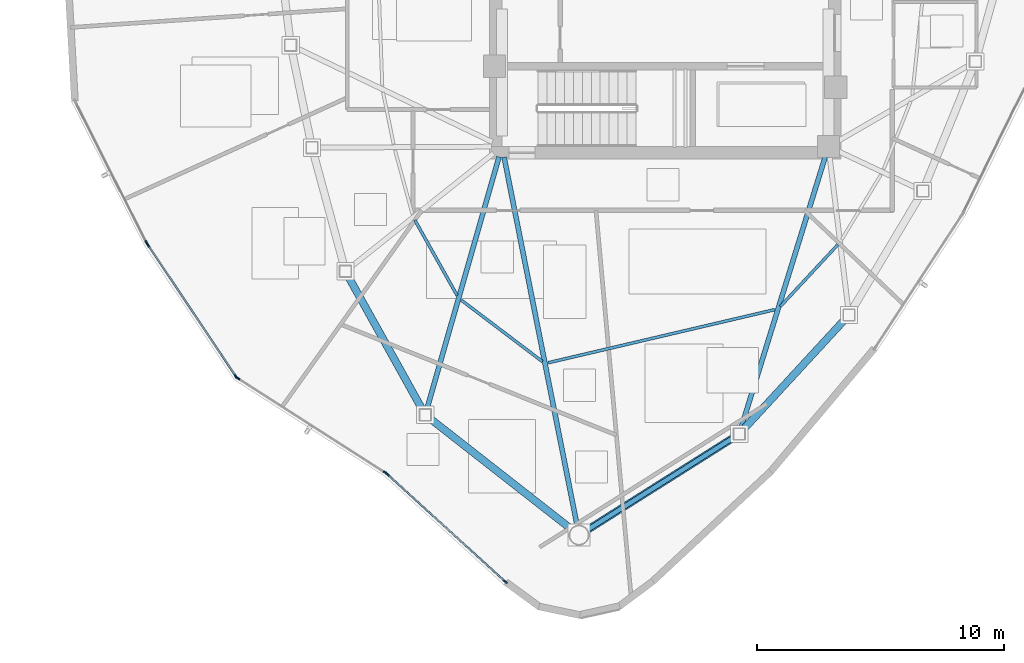
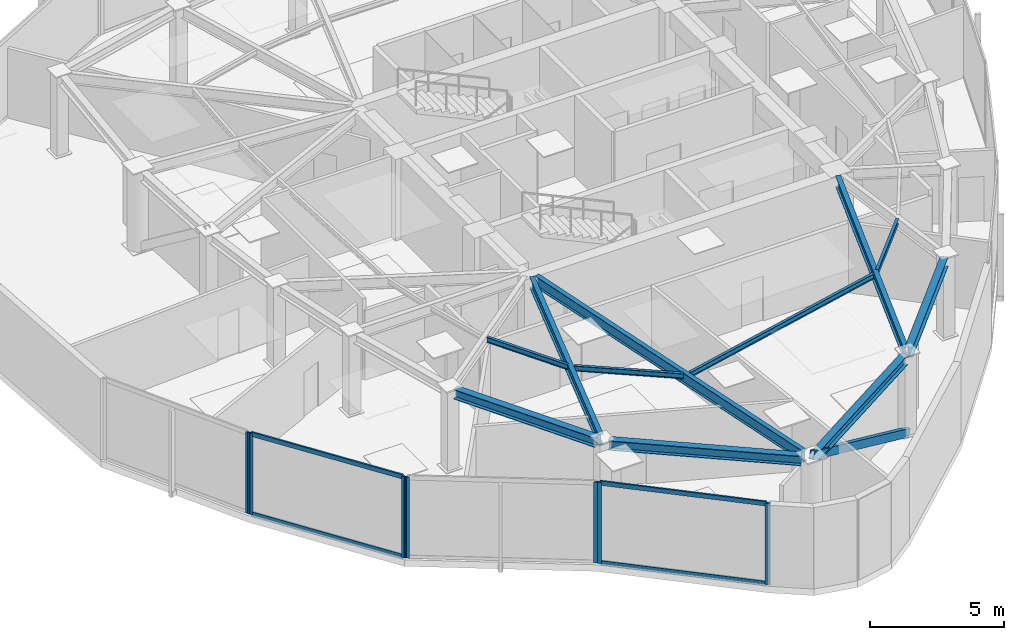
# One storey, part 2 of 13: 12 members, 11 beams, 4 elements without a shape of their own.
"""IFC4 building model written with IfcOpenShell, lengths in metres."""

import ifcopenshell
import ifcopenshell.guid

model = None  # the IFC model being written
_history = None  # IfcOwnerHistory: only IFC2X3 demands one
_inside = {}  # id of a spatial element -> (the spatial element, [elements in it])
_under = {}  # id of a project, library or spatial element -> (it, [spatial elements below it])
_declared = {}  # id of a project -> (the project, [libraries it declares])
_typed = {}  # id of a type object -> (the type object, [elements of that type])
_made_of = {}  # id of a material, layer set ... -> (it, [elements and type objects made of it])


def new_model(schema):
    """Start an empty IFC model of exactly this schema.

    Asked for "IFC4X3", IfcOpenShell would pick the latest addendum, in which some entities
    have other attributes; the version numbers below select the first issue.
    IFC2X3 requires an IfcOwnerHistory on every rooted entity: one is made here for all.
    """
    global model, _history
    if schema == "IFC4X3":
        model = ifcopenshell.file(schema_version=(4, 3, 0, 0))
    else:
        model = ifcopenshell.file(schema=schema)
    _inside.clear()
    _under.clear()
    _declared.clear()
    _typed.clear()
    _made_of.clear()
    _history = None
    if model.schema == "IFC2X3":
        org = make("IfcOrganization", Name="unknown")
        user = make(
            "IfcPersonAndOrganization",
            ThePerson=make("IfcPerson", FamilyName="unknown"),
            TheOrganization=org,
        )
        app = make(
            "IfcApplication",
            ApplicationDeveloper=org,
            Version="unknown",
            ApplicationFullName="unknown",
            ApplicationIdentifier="unknown",
        )
        _history = make(
            "IfcOwnerHistory",
            OwningUser=user,
            OwningApplication=app,
            ChangeAction="ADDED",
            CreationDate=0,
        )
    return model


def make(cls, **values):
    """One entity of the class cls with the attributes given. An attribute that is None is left unset."""
    return model.create_entity(
        cls, **{name: value for name, value in values.items() if value is not None}
    )


def rooted(cls, **values):
    """An entity with a GlobalId (a new one), such as an element, a storey or a relation."""
    return make(cls, GlobalId=ifcopenshell.guid.new(), OwnerHistory=_history, **values)


def si_unit(unit_type, name, prefix=None):
    """IfcSIUnit, for example si_unit("LENGTHUNIT", "METRE", prefix="MILLI")."""
    return make("IfcSIUnit", UnitType=unit_type, Prefix=prefix, Name=name)


def assignment(units):
    """IfcUnitAssignment: the units of a project."""
    return None if units is None else make("IfcUnitAssignment", Units=units)


def point(xyz):
    """IfcCartesianPoint."""
    return None if xyz is None else make("IfcCartesianPoint", Coordinates=xyz)


def direction(xyz):
    """IfcDirection."""
    return None if xyz is None else make("IfcDirection", DirectionRatios=xyz)


def frame(location, z_axis=None, x_axis=None):
    """IfcAxis2Placement3D, a coordinate frame: its origin and axes. An axis left out is left unset."""
    return make(
        "IfcAxis2Placement3D",
        Location=point(location),
        Axis=direction(z_axis),
        RefDirection=direction(x_axis),
    )


def frame_2d(location, x_axis=None):
    """IfcAxis2Placement2D, a coordinate frame in the plane: its origin and x axis."""
    return make(
        "IfcAxis2Placement2D", Location=point(location), RefDirection=direction(x_axis)
    )


def origin():
    """The frame at (0, 0, 0) with its axes left unset."""
    return frame((0.0, 0.0, 0.0))


def origin_2d():
    """The frame at (0, 0) in the plane with its x axis left unset."""
    return frame_2d((0.0, 0.0))


def place(relative_to, where):
    """IfcLocalPlacement: puts the frame where relative to a parent placement (None: the world)."""
    return make(
        "IfcLocalPlacement", PlacementRelTo=relative_to, RelativePlacement=where
    )


def context(
    kind, dimensions, precision=None, world=None, true_north=None, identifier=None
):
    """IfcGeometricRepresentationContext, for example the 3D "Model" context."""
    return make(
        "IfcGeometricRepresentationContext",
        ContextIdentifier=identifier,
        ContextType=kind,
        CoordinateSpaceDimension=dimensions,
        Precision=precision,
        WorldCoordinateSystem=world,
        TrueNorth=true_north,
    )


def subcontext(parent, identifier, kind, view, scale=None):
    """IfcGeometricRepresentationSubContext, for example "Body" below "Model"."""
    return make(
        "IfcGeometricRepresentationSubContext",
        ContextIdentifier=identifier,
        ContextType=kind,
        ParentContext=parent,
        TargetScale=scale,
        TargetView=view,
    )


def project(units=None, contexts=None):
    """IfcProject with its units and contexts."""
    return rooted(
        "IfcProject",
        Name="project",
        RepresentationContexts=contexts,
        UnitsInContext=assignment(units),
    )


def spatial(cls, under=None, at=None, **own):
    """A site, building, storey or space (cls), placed at a placement, below another one or the project."""
    s = rooted(cls, ObjectPlacement=at, **own)
    if under is not None:
        _under.setdefault(under.id(), (under, []))[1].append(s)
    return s


def profile(cls, at=None, kind="AREA", **sizes):
    """A parametric profile (cls). Its sizes go by their IFC names, for example OverallWidth=200.0."""
    return make(cls, ProfileType=kind, Position=at, **sizes)


def hollow_rectangle(**sizes):
    """IfcRectangleHollowProfileDef."""
    return profile("IfcRectangleHollowProfileDef", **sizes)


def i_section(**sizes):
    """IfcIShapeProfileDef."""
    return profile("IfcIShapeProfileDef", **sizes)


def extrude(swept, where, along, depth):
    """IfcExtrudedAreaSolid: the profile swept, set in the frame where, extruded along a direction by depth."""
    return make(
        "IfcExtrudedAreaSolid",
        SweptArea=swept,
        Position=where,
        ExtrudedDirection=direction(along),
        Depth=depth,
    )


def shape(context_of_items, identifier, shape_type, items):
    """IfcShapeRepresentation: the items that make up one representation, for example the "Body"."""
    return make(
        "IfcShapeRepresentation",
        ContextOfItems=context_of_items,
        RepresentationIdentifier=identifier,
        RepresentationType=shape_type,
        Items=items,
    )


def source(mapping_origin, context_of_items, identifier, shape_type, items):
    """IfcRepresentationMap: a shape defined once, which mapped items show again and again."""
    return make(
        "IfcRepresentationMap",
        MappingOrigin=mapping_origin,
        MappedRepresentation=shape(context_of_items, identifier, shape_type, items),
    )


def transform(
    local_origin,
    x_axis=None,
    y_axis=None,
    z_axis=None,
    scale=None,
    scale2=None,
    scale3=None,
    uniform=True,
):
    """IfcCartesianTransformationOperator3D, or its non-uniform kind. x_axis, y_axis, z_axis: its Axis1, 2, 3."""
    if uniform:
        return make(
            "IfcCartesianTransformationOperator3D",
            Axis1=direction(x_axis),
            Axis2=direction(y_axis),
            LocalOrigin=point(local_origin),
            Scale=scale,
            Axis3=direction(z_axis),
        )
    return make(
        "IfcCartesianTransformationOperator3DnonUniform",
        Axis1=direction(x_axis),
        Axis2=direction(y_axis),
        LocalOrigin=point(local_origin),
        Scale=scale,
        Axis3=direction(z_axis),
        Scale2=scale2,
        Scale3=scale3,
    )


def mapped(mapping_source, mapping_target):
    """IfcMappedItem: shows the shape of a source again, moved by a transform."""
    return make(
        "IfcMappedItem", MappingSource=mapping_source, MappingTarget=mapping_target
    )


def material(Name=None, Category=None):
    """IfcMaterial."""
    return make("IfcMaterial", Name=Name, Category=Category)


def layer(
    of_material, thickness, ventilated=None, Name=None, Category=None, Priority=None
):
    """IfcMaterialLayer: one layer of a wall or slab, of a material (None: an air gap)."""
    return make(
        "IfcMaterialLayer",
        Material=of_material,
        LayerThickness=thickness,
        IsVentilated=ventilated,
        Name=Name,
        Category=Category,
        Priority=Priority,
    )


def layer_set(layers, Name=None):
    """IfcMaterialLayerSet."""
    return make("IfcMaterialLayerSet", MaterialLayers=layers, LayerSetName=Name)


def material_profile(
    of_material, cross_section, Name=None, Category=None, Priority=None
):
    """IfcMaterialProfile: a cross section and its material."""
    return make(
        "IfcMaterialProfile",
        Name=Name,
        Material=of_material,
        Profile=cross_section,
        Priority=Priority,
        Category=Category,
    )


def profile_set(profiles, Name=None, composite=None):
    """IfcMaterialProfileSet."""
    return make(
        "IfcMaterialProfileSet",
        Name=Name,
        MaterialProfiles=profiles,
        CompositeProfile=composite,
    )


def made_of(thing, what):
    """Note that an element or type object is made of a material, layer set ...; save() writes the relation."""
    if what is not None:
        _made_of.setdefault(what.id(), (what, []))[1].append(thing)
    return thing


def type_object(cls, material=None, **own):
    """A type object (cls), such as IfcWallType, which elements share."""
    return made_of(rooted(cls, **own), material)


def type_shapes(of_type, sources):
    """Give a type object the sources (RepresentationMaps) that its elements show as mapped items."""
    of_type.RepresentationMaps = sources


def element(
    cls,
    number,
    at=None,
    inside=None,
    cuts=None,
    type_object=None,
    material=None,
    context=None,
    identifier="Body",
    shape_type=None,
    held_by="IfcProductDefinitionShape",
    body=None,
    shapes=None,
    **own,
):
    """One element of the class cls, such as IfcWall. Its Tag is "e" and its number.

    at: its placement. inside: the storey or other place that contains it. cuts: it is an
    opening in that element (IfcRelVoidsElement). A single representation is given by context,
    identifier, shape_type and body (its items); several are given by shapes. held_by: the class
    of the entity that holds the representations. save() writes the other relations.
    """
    e = rooted(cls, Tag="e%d" % number, ObjectPlacement=at, **own)
    if body is not None:
        shapes = [shape(context, identifier, shape_type, body)]
    if shapes is not None:
        e.Representation = make(held_by, Representations=shapes)
    if inside is not None:
        _inside.setdefault(inside.id(), (inside, []))[1].append(e)
    if cuts is not None:
        rooted(
            "IfcRelVoidsElement", RelatingBuildingElement=cuts, RelatedOpeningElement=e
        )
    if type_object is not None:
        _typed.setdefault(type_object.id(), (type_object, []))[1].append(e)
    return made_of(e, material)


def aggregate(whole, parts):
    """IfcRelAggregates: a whole, such as a stair, and the parts it consists of."""
    return rooted("IfcRelAggregates", RelatingObject=whole, RelatedObjects=parts)


def save(model, path):
    """Write the relations noted so far, then the file.

    IfcRelAggregates (storeys below a building ...), IfcRelContainedInSpatialStructure (elements
    in a storey), IfcRelDefinesByType, IfcRelAssociatesMaterial and IfcRelDeclares: one each for
    every whole, place, type object, material and project.
    """
    for whole, parts in _under.values():
        aggregate(whole, parts)
    for where, things in _inside.values():
        rooted(
            "IfcRelContainedInSpatialStructure",
            RelatedElements=things,
            RelatingStructure=where,
        )
    for kind, things in _typed.values():
        rooted("IfcRelDefinesByType", RelatedObjects=things, RelatingType=kind)
    for what, things in _made_of.values():
        rooted("IfcRelAssociatesMaterial", RelatedObjects=things, RelatingMaterial=what)
    for by, libraries in _declared.values():
        rooted("IfcRelDeclares", RelatingContext=by, RelatedDefinitions=libraries)
    model.write(path)


model = new_model("IFC4")

# Units and contexts
model_context = context("Model", 3, precision=1e-05, world=origin(), true_north=direction((0.0, 1.0)))
body_context = subcontext(model_context, "Body", "Model", "MODEL_VIEW")
ifc_project = project(units=[si_unit("LENGTHUNIT", "METRE"), si_unit("AREAUNIT", "SQUARE_METRE"), si_unit("VOLUMEUNIT", "CUBIC_METRE"), si_unit("PLANEANGLEUNIT", "RADIAN"), si_unit("MASSUNIT", "GRAM", prefix="KILO")], contexts=[model_context])

# Site, building, storey
site_placement = place(None, origin())
site = spatial("IfcSite", under=ifc_project, at=site_placement, CompositionType="ELEMENT")
building_placement = place(site_placement, origin())
building = spatial("IfcBuilding", under=site, at=building_placement, Name="Tavelor Broadcast Tower", CompositionType="ELEMENT")
storey_placement = place(building_placement, frame((0.0, 0.0, 297.5)))
storey = spatial("IfcBuildingStorey", under=building, at=storey_placement, Name="L71", CompositionType="ELEMENT", Elevation=297.5)

# Beams
ifc_material_1 = material(Name="Steel S355", Category="steel")
ifc_material_profile_1 = material_profile(ifc_material_1, i_section(OverallWidth=0.1201171875, OverallDepth=0.239990234375, WebThickness=0.006103515625, FlangeThickness=0.009765625, at=origin_2d()), Name="IPE 240")
ifc_profile_set_1 = profile_set([ifc_material_profile_1], Name="Steel S355")
beam_type_1 = type_object("IfcBeamType", Name="Composite Floor Joist T7 IPE 240", PredefinedType="JOIST", material=ifc_profile_set_1)
beam_1_placement = place(storey_placement, frame((39.873779296875, 35.830078125, 3.580078125), z_axis=(0.489567395479, -0.871965461061, 0.0), x_axis=(0.871965461061, 0.489567395479, 0.0)))
element("IfcBeam", 1, at=beam_1_placement, inside=storey, type_object=beam_type_1, Name="L71 Secondary Composite Floor Joist 05", PredefinedType="JOIST", context=body_context, shape_type="SweptSolid", body=[
    extrude(i_section(OverallWidth=0.1201171875, OverallDepth=0.239990234375, WebThickness=0.006103515625, FlangeThickness=0.009765625, at=origin_2d()), origin(), (0.0, 0.0, 1.0), 3.4921875),
])
beam_2_placement = place(storey_placement, frame((41.74951171875, 32.594482421875, 3.580078125), z_axis=(0.797312398186, -0.603566847747, 0.0), x_axis=(0.603566847747, 0.797312398186, 0.0)))
element("IfcBeam", 2, at=beam_2_placement, inside=storey, type_object=beam_type_1, Name="L71 Secondary Composite Floor Joist 06", PredefinedType="JOIST", context=body_context, shape_type="SweptSolid", body=[
    extrude(i_section(OverallWidth=0.1201171875, OverallDepth=0.239990234375, WebThickness=0.006103515625, FlangeThickness=0.009765625, at=origin_2d()), origin(), (0.0, 0.0, 1.0), 4.121826171875),
])
beam_3_placement = place(storey_placement, frame((45.264404296875, 30.058349609375, 3.580078125), z_axis=(0.973614241708, 0.228200149746, 0.0), x_axis=(-0.228200149746, 0.973614241708, 0.0)))
element("IfcBeam", 3, at=beam_3_placement, inside=storey, type_object=beam_type_1, Name="L71 Secondary Composite Floor Joist 07", PredefinedType="JOIST", context=body_context, shape_type="SweptSolid", body=[
    extrude(i_section(OverallWidth=0.1201171875, OverallDepth=0.239990234375, WebThickness=0.006103515625, FlangeThickness=0.009765625, at=origin_2d()), origin(), (0.0, 0.0, 1.0), 9.422119140625),
])
beam_4_placement = place(storey_placement, frame((54.651611328125, 32.332275390625, 3.580078125), z_axis=(0.681448823195, 0.731865767314, 0.0), x_axis=(-0.731865767314, 0.681448823195, 0.0)))
element("IfcBeam", 4, at=beam_4_placement, inside=storey, type_object=beam_type_1, Name="L71 Secondary Composite Floor Joist 08", PredefinedType="JOIST", context=body_context, shape_type="SweptSolid", body=[
    extrude(i_section(OverallWidth=0.1201171875, OverallDepth=0.239990234375, WebThickness=0.006103515625, FlangeThickness=0.009765625, at=origin_2d()), origin(), (0.0, 0.0, 1.0), 3.423583984375),
])
ifc_material_profile_2 = material_profile(ifc_material_1, i_section(OverallWidth=0.300048828125, OverallDepth=0.43994140625, WebThickness=0.011474609375, FlangeThickness=0.02099609375, at=origin_2d()), Name="HEA 450")
ifc_profile_set_2 = profile_set([ifc_material_profile_2], Name="Steel S355")
beam_type_2 = type_object("IfcBeamType", Name="Perimeter Spandrel Beam T7 HEA 450", PredefinedType="SPANDREL", material=ifc_profile_set_2)
beam_5_placement = place(storey_placement, frame((37.184814453125, 33.5498046875, 3.47998046875), z_axis=(0.485969141936, -0.873975968254, 0.0), x_axis=(0.873975968254, 0.485969141936, 0.0)))
element("IfcBeam", 5, at=beam_5_placement, inside=storey, type_object=beam_type_2, Name="L71 Framed-Tube Ring Spandrel 05", PredefinedType="SPANDREL", context=body_context, shape_type="SweptSolid", body=[
    extrude(i_section(OverallWidth=0.300048828125, OverallDepth=0.43994140625, WebThickness=0.011474609375, FlangeThickness=0.02099609375, at=origin_2d()), origin(), (0.0, 0.0, 1.0), 6.1630859375),
])
beam_6_placement = place(storey_placement, frame((40.485595703125, 27.8056640625, 3.47998046875), z_axis=(0.787521309141, -0.616287422919, 0.0), x_axis=(0.616287422919, 0.787521309141, 0.0)))
element("IfcBeam", 6, at=beam_6_placement, inside=storey, type_object=beam_type_2, Name="L71 Framed-Tube Ring Spandrel 06", PredefinedType="SPANDREL", context=body_context, shape_type="SweptSolid", body=[
    extrude(i_section(OverallWidth=0.300048828125, OverallDepth=0.43994140625, WebThickness=0.011474609375, FlangeThickness=0.02099609375, at=origin_2d()), origin(), (0.0, 0.0, 1.0), 7.265625),
])
beam_7_placement = place(storey_placement, frame((46.8447265625, 23.295654296875, 3.47998046875), z_axis=(0.845617600782, 0.53378916554, 0.0), x_axis=(-0.53378916554, 0.845617600782, 0.0)))
element("IfcBeam", 7, at=beam_7_placement, inside=storey, type_object=beam_type_2, Name="L71 Framed-Tube Ring Spandrel 07", PredefinedType="SPANDREL", context=body_context, shape_type="SweptSolid", body=[
    extrude(i_section(OverallWidth=0.300048828125, OverallDepth=0.43994140625, WebThickness=0.011474609375, FlangeThickness=0.02099609375, at=origin_2d()), origin(), (0.0, 0.0, 1.0), 7.03076171875),
])
beam_8_placement = place(storey_placement, frame((53.15576171875, 27.353271484375, 3.47998046875), z_axis=(0.677736891139, 0.735304499095, 0.0), x_axis=(-0.735304499095, 0.677736891139, 0.0)))
element("IfcBeam", 8, at=beam_8_placement, inside=storey, type_object=beam_type_2, Name="L71 Framed-Tube Ring Spandrel 08", PredefinedType="SPANDREL", context=body_context, shape_type="SweptSolid", body=[
    extrude(i_section(OverallWidth=0.300048828125, OverallDepth=0.43994140625, WebThickness=0.011474609375, FlangeThickness=0.02099609375, at=origin_2d()), origin(), (0.0, 0.0, 1.0), 6.06884765625),
])

# Member
ifc_material_profile_3 = material_profile(ifc_material_1, hollow_rectangle(XDim=0.199951171875, YDim=0.35009765625, WallThickness=0.01611328125, at=origin_2d()), Name="RHS 350x200x16")
ifc_profile_set_3 = profile_set([ifc_material_profile_3], Name="Steel S355")
member_type_1 = type_object("IfcMemberType", Name="Perimeter Tube Brace T7 RHS 350x200x16", PredefinedType="BRACE", material=ifc_profile_set_3)
member_1_placement = place(storey_placement, frame((52.992919921875, 27.1767578125, 0.0), z_axis=(-0.761462376336, -0.480666847696, 0.434895885184), x_axis=(0.533789146824, -0.845617612596, 0.0)))
element("IfcMember", 9, at=member_1_placement, inside=storey, type_object=member_type_1, Name="L71 Corner Tube Diagonal Brace 2", PredefinedType="BRACE", context=body_context, shape_type="SweptSolid", body=[
    extrude(hollow_rectangle(XDim=0.199951171875, YDim=0.35009765625, WallThickness=0.01611328125, at=origin_2d()), origin(), (0.0, 0.0, 1.0), 8.507568359375),
])

# Beams
ifc_material_profile_4 = material_profile(ifc_material_1, i_section(OverallWidth=0.199951171875, OverallDepth=0.5, WebThickness=0.01025390625, FlangeThickness=0.01611328125, at=origin_2d()), Name="IPE 500")
ifc_profile_set_4 = profile_set([ifc_material_profile_4], Name="Steel S355")
beam_type_3 = type_object("IfcBeamType", Name="Radial Floor Girder T7 IPE 500", PredefinedType="BEAM", material=ifc_profile_set_4)
beam_9_placement = place(storey_placement, frame((43.28125, 38.384765625, 3.449951171875), z_axis=(-0.275094925197, -0.961417069815, 0.0), x_axis=(0.961417069815, -0.275094925197, 0.0)))
element("IfcBeam", 10, at=beam_9_placement, inside=storey, type_object=beam_type_3, Name="L71 Radial Primary Floor Girder 06", PredefinedType="BEAM", context=body_context, shape_type="SweptSolid", body=[
    extrude(i_section(OverallWidth=0.199951171875, OverallDepth=0.5, WebThickness=0.01025390625, FlangeThickness=0.01611328125, at=origin_2d()), origin(), (0.0, 0.0, 1.0), 10.60986328125),
])
beam_10_placement = place(storey_placement, frame((43.48388671875, 38.376220703125, 3.449951171875), z_axis=(0.19444745334, -0.980912935938, 0.0), x_axis=(0.980912935938, 0.19444745334, 0.0)))
element("IfcBeam", 11, at=beam_10_placement, inside=storey, type_object=beam_type_3, Name="L71 Radial Primary Floor Girder 07", PredefinedType="BEAM", context=body_context, shape_type="SweptSolid", body=[
    extrude(i_section(OverallWidth=0.199951171875, OverallDepth=0.5, WebThickness=0.01025390625, FlangeThickness=0.01611328125, at=origin_2d()), origin(), (0.0, 0.0, 1.0), 15.196044921875),
])
beam_11_placement = place(storey_placement, frame((56.471923828125, 38.387451171875, 3.449951171875), z_axis=(-0.296373836186, -0.955072012585, 0.0), x_axis=(0.955072012585, -0.296373836186, 0.0)))
element("IfcBeam", 12, at=beam_11_placement, inside=storey, type_object=beam_type_3, Name="L71 Radial Primary Floor Girder 08", PredefinedType="BEAM", context=body_context, shape_type="SweptSolid", body=[
    extrude(i_section(OverallWidth=0.199951171875, OverallDepth=0.5, WebThickness=0.01025390625, FlangeThickness=0.01611328125, at=origin_2d()), origin(), (0.0, 0.0, 1.0), 11.498046875),
])

# Curtain wall, member
ifc_material_2 = material(Name="Architectural Anodized Aluminium", Category="aluminium")
ifc_layer = layer(ifc_material_2, 0.199951171875)
ifc_layer_set = layer_set([ifc_layer], Name="Architectural Anodized Aluminium")
curtain_wall_type = type_object("IfcCurtainWallType", Name="Tower High-Zone Triple-Glazed Curtain Wall CW04", PredefinedType="NOTDEFINED", material=ifc_layer_set)
curtain_wall_1_placement = place(storey_placement, origin())
curtain_wall_1 = element("IfcCurtainWall", 13, at=curtain_wall_1_placement, inside=storey, type_object=curtain_wall_type, Name="L71 Curtain Wall CW04 Run 781", PredefinedType="NOTDEFINED")
ifc_material_profile_5 = material_profile(ifc_material_2, hollow_rectangle(XDim=0.070068359375, YDim=0.199951171875, WallThickness=0.02197265625, at=origin_2d()), Name="RHS 70x200x22")
ifc_profile_set_5 = profile_set([ifc_material_profile_5], Name="Architectural Anodized Aluminium")
member_type_2 = type_object("IfcMemberType", Name="CW04 Extruded Aluminium Mullion 70x200", PredefinedType="MULLION", material=ifc_profile_set_5)
shared_shape_1 = source(origin(), body_context, "Body", "SweptSolid", [
    extrude(hollow_rectangle(XDim=0.070068359375, YDim=0.199951171875, WallThickness=0.02197265625, at=origin_2d()), origin(), (0.0, 0.0, 1.0), 3.699951171875),
])
type_shapes(member_type_2, [shared_shape_1])
member_2_placement = place(storey_placement, frame((29.031982421875, 34.90869140625, 0.0), z_axis=(0.0, 0.0, 1.0), x_axis=(0.892389728375, 0.45126552349, 0.0)))
member_2 = element("IfcMember", 14, at=member_2_placement, type_object=member_type_2, Name="CW04 mullion 2", PredefinedType="MULLION", context=body_context, shape_type="MappedRepresentation", body=[
    mapped(shared_shape_1, transform((0.0, 0.0, 0.0), scale=1.0)),
])
aggregate(curtain_wall_1, [member_2])

# Curtain wall, members
curtain_wall_2_placement = place(storey_placement, origin())
curtain_wall_2 = element("IfcCurtainWall", 15, at=curtain_wall_2_placement, inside=storey, type_object=curtain_wall_type, Name="L71 Curtain Wall CW04 Run 782", PredefinedType="NOTDEFINED")
member_3_placement = place(storey_placement, frame((29.082275390625, 34.822509765625, 0.0), z_axis=(0.0, 0.0, 1.0), x_axis=(0.831223430287, 0.555938493848, 0.0)))
member_3 = element("IfcMember", 16, at=member_3_placement, type_object=member_type_2, Name="CW04 mullion 1", PredefinedType="MULLION", context=body_context, shape_type="MappedRepresentation", body=[
    mapped(shared_shape_1, transform((0.0, 0.0, 0.0), scale=1.0)),
])
member_4_placement = place(storey_placement, frame((32.63671875, 29.50830078125, 0.0), z_axis=(0.0, 0.0, 1.0), x_axis=(0.831223430287, 0.555938493848, 0.0)))
member_4 = element("IfcMember", 17, at=member_4_placement, type_object=member_type_2, Name="CW04 mullion 2", PredefinedType="MULLION", context=body_context, shape_type="MappedRepresentation", body=[
    mapped(shared_shape_1, transform((0.0, 0.0, 0.0), scale=1.0)),
])

curtain_wall_3_placement = place(storey_placement, origin())
curtain_wall_3 = element("IfcCurtainWall", 18, at=curtain_wall_3_placement, inside=storey, type_object=curtain_wall_type, Name="L71 Curtain Wall CW04 Run 783", PredefinedType="NOTDEFINED")
member_5_placement = place(storey_placement, frame((32.706787109375, 29.439697265625, 0.0), z_axis=(0.0, 0.0, 1.0), x_axis=(0.539289696129, 0.842120314236, 0.0)))
member_5 = element("IfcMember", 19, at=member_5_placement, type_object=member_type_2, Name="CW04 mullion 1", PredefinedType="MULLION", context=body_context, shape_type="MappedRepresentation", body=[
    mapped(shared_shape_1, transform((0.0, 0.0, 0.0), scale=1.0)),
])
member_6_placement = place(storey_placement, frame((38.68212890625, 25.613037109375, 0.0), z_axis=(0.0, 0.0, 1.0), x_axis=(0.539289696129, 0.842120314236, 0.0)))
member_6 = element("IfcMember", 20, at=member_6_placement, type_object=member_type_2, Name="CW04 mullion 2", PredefinedType="MULLION", context=body_context, shape_type="MappedRepresentation", body=[
    mapped(shared_shape_1, transform((0.0, 0.0, 0.0), scale=1.0)),
])
aggregate(curtain_wall_3, [member_5, member_6])

curtain_wall_4_placement = place(storey_placement, origin())
curtain_wall_4 = element("IfcCurtainWall", 21, at=curtain_wall_4_placement, inside=storey, type_object=curtain_wall_type, Name="L71 Curtain Wall CW04 Run 784", PredefinedType="NOTDEFINED")
member_7_placement = place(storey_placement, frame((38.76123046875, 25.55224609375, 0.0), z_axis=(0.0, 0.0, 1.0), x_axis=(0.673324429307, 0.739347153169, 0.0)))
member_7 = element("IfcMember", 22, at=member_7_placement, type_object=member_type_2, Name="CW04 mullion 1", PredefinedType="MULLION", context=body_context, shape_type="MappedRepresentation", body=[
    mapped(shared_shape_1, transform((0.0, 0.0, 0.0), scale=1.0)),
])
member_8_placement = place(storey_placement, frame((43.5302734375, 21.208984375, 0.0), z_axis=(0.0, 0.0, 1.0), x_axis=(0.673324429307, 0.739347153169, 0.0)))
member_8 = element("IfcMember", 23, at=member_8_placement, type_object=member_type_2, Name="CW04 mullion 2", PredefinedType="MULLION", context=body_context, shape_type="MappedRepresentation", body=[
    mapped(shared_shape_1, transform((0.0, 0.0, 0.0), scale=1.0)),
])

# Member
ifc_material_profile_6 = material_profile(ifc_material_2, hollow_rectangle(XDim=0.070068359375, YDim=0.199951171875, WallThickness=0.02197265625, at=origin_2d()), Name="RHS 70x200x22")
ifc_profile_set_6 = profile_set([ifc_material_profile_6], Name="Architectural Anodized Aluminium")
member_type_3 = type_object("IfcMemberType", Name="CW04 Extruded Aluminium Transom 70x200", PredefinedType="USERDEFINED", material=ifc_profile_set_6)
shared_shape_2 = source(origin(), body_context, "Body", "SweptSolid", [
    extrude(hollow_rectangle(XDim=0.070068359375, YDim=0.199951171875, WallThickness=0.02197265625, at=origin_2d()), origin(), (0.0, 0.0, 1.0), 6.3232421875),
])
member_9_placement = place(storey_placement, frame((29.101806640625, 34.79345703125, 0.034912109375), z_axis=(0.555938055413, -0.831223723521, 0.0), x_axis=(0.831223723521, 0.555938055413, 0.0)))
member_9 = element("IfcMember", 24, at=member_9_placement, type_object=member_type_3, Name="CW04 transom 1.1", ObjectType="TRANSOM", PredefinedType="USERDEFINED", context=body_context, shape_type="MappedRepresentation", body=[
    mapped(shared_shape_2, transform((0.0, 0.0, 0.0), scale=1.0)),
])

member_10_placement = place(storey_placement, frame((29.101806640625, 34.79345703125, 3.6650390625), z_axis=(0.555938055413, -0.831223723521, 0.0), x_axis=(0.831223723521, 0.555938055413, 0.0)))
member_10 = element("IfcMember", 25, at=member_10_placement, type_object=member_type_3, Name="CW04 transom 1.2", ObjectType="TRANSOM", PredefinedType="USERDEFINED", context=body_context, shape_type="MappedRepresentation", body=[
    mapped(shared_shape_2, transform((0.0, 0.0, 0.0), scale=1.0)),
])

aggregate(curtain_wall_2, [member_3, member_4, member_9, member_10])

shared_shape_3 = source(origin(), body_context, "Body", "SweptSolid", [
    extrude(hollow_rectangle(XDim=0.070068359375, YDim=0.199951171875, WallThickness=0.02197265625, at=origin_2d()), origin(), (0.0, 0.0, 1.0), 6.38037109375),
])
type_shapes(member_type_3, [shared_shape_2, shared_shape_3])
member_11_placement = place(storey_placement, frame((38.787109375, 25.52880859375, 0.034912109375), z_axis=(0.739338979919, -0.673333403873, 0.0), x_axis=(0.673333403873, 0.739338979919, 0.0)))
member_11 = element("IfcMember", 26, at=member_11_placement, type_object=member_type_3, Name="CW04 transom 1.1", ObjectType="TRANSOM", PredefinedType="USERDEFINED", context=body_context, shape_type="MappedRepresentation", body=[
    mapped(shared_shape_3, transform((0.0, 0.0, 0.0), scale=1.0)),
])

member_12_placement = place(storey_placement, frame((38.787109375, 25.52880859375, 3.6650390625), z_axis=(0.739338979919, -0.673333403873, 0.0), x_axis=(0.673333403873, 0.739338979919, 0.0)))
member_12 = element("IfcMember", 27, at=member_12_placement, type_object=member_type_3, Name="CW04 transom 1.2", ObjectType="TRANSOM", PredefinedType="USERDEFINED", context=body_context, shape_type="MappedRepresentation", body=[
    mapped(shared_shape_3, transform((0.0, 0.0, 0.0), scale=1.0)),
])

aggregate(curtain_wall_4, [member_7, member_8, member_11, member_12])

save(model, "model.ifc")
